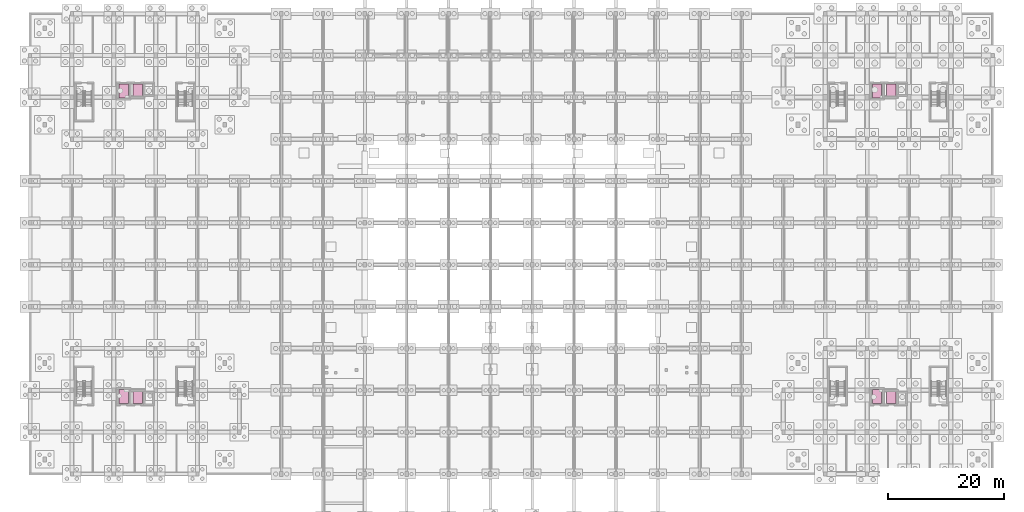
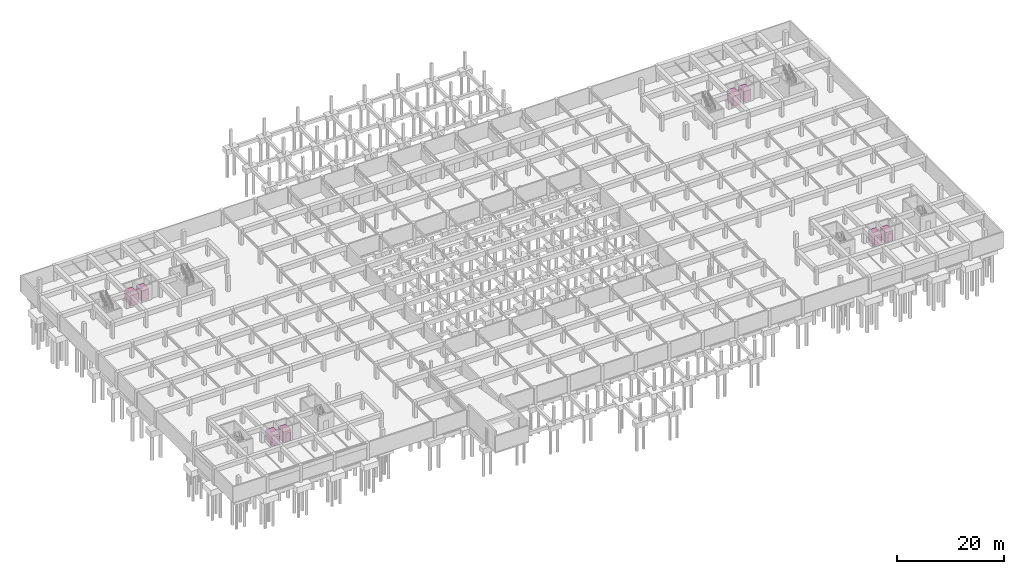
# One storey, part 36 of 36: 8 transport elements.
"""IFC4 building model written with IfcOpenShell, lengths in metres."""

from ifc_helpers import new_model, si_unit, direction, frame, origin, origin_2d, place, context, subcontext, project, spatial, rectangle, extrude, material, type_object, element, save


model = new_model("IFC4")

# Units and contexts
model_context = context("Model", 3, precision=1e-05, world=origin(), true_north=direction((0.0, 1.0)))
body_context = subcontext(model_context, "Body", "Model", "MODEL_VIEW")
ifc_project = project(units=[si_unit("LENGTHUNIT", "METRE"), si_unit("AREAUNIT", "SQUARE_METRE"), si_unit("VOLUMEUNIT", "CUBIC_METRE"), si_unit("PLANEANGLEUNIT", "RADIAN"), si_unit("MASSUNIT", "GRAM", prefix="KILO")], contexts=[model_context])

# Site, building, storey
site_placement = place(None, origin())
site = spatial("IfcSite", under=ifc_project, at=site_placement, CompositionType="ELEMENT")
building_placement = place(site_placement, origin())
building = spatial("IfcBuilding", under=site, at=building_placement, Name="Ochrevale Crest", CompositionType="ELEMENT")
storey_placement = place(building_placement, frame((0.0, 0.0, -3.60009765625)))
storey = spatial("IfcBuildingStorey", under=building, at=storey_placement, Name="B1", CompositionType="ELEMENT", Elevation=-3.60009765625)

# Transport elements
ifc_material = material(Name="Stainless steel", Category="steel")
transport_element_type_1 = type_object("IfcTransportElementType", Name="LIFT-FF-1600", PredefinedType="ELEVATOR", material=ifc_material)
for number, where, z_axis, x_axis, name in (
    (1, (16.10009765625, 27.699951171875, 0.000244140625), (0.0, 0.0, 1.0), (1.0, 0.0, 0.0), "Block A Firefighting Stretcher Lift LF-A1"),
    (2, (16.10009765625, 80.300048828125, 0.000244140625), (0.0, 0.0, 1.0), (1.0, 0.0, 0.0), "Block B Firefighting Stretcher Lift LF-B1"),
    (3, (145.699951171875, 27.699951171875, 0.000244140625), (0.0, 0.0, 1.0), (1.0, 0.0, 0.0), "Block C Firefighting Stretcher Lift LF-C1"),
    (4, (145.699951171875, 80.300048828125, 0.000244140625), (0.0, 0.0, 1.0), (1.0, 0.0, 0.0), "Block D Firefighting Stretcher Lift LF-D1"),
):
    element("IfcTransportElement", number, at=place(storey_placement, frame(where, z_axis=z_axis, x_axis=x_axis)), inside=storey, type_object=transport_element_type_1, Name=name, PredefinedType="ELEVATOR", context=body_context, shape_type="SweptSolid", body=[
        extrude(rectangle(XDim=1.60009765625, YDim=2.39990234375, at=origin_2d()), origin(), (0.0, 0.0, 1.0), 2.39990234375),
    ])
transport_element_type_2 = type_object("IfcTransportElementType", Name="LIFT-PAX-1350", PredefinedType="ELEVATOR", material=ifc_material)
for number, where, z_axis, x_axis, name in (
    (5, (18.550048828125, 27.550048828125, 0.000244140625), (0.0, 0.0, 1.0), (1.0, 0.0, 0.0), "Block A Accessible Passenger Lift LP-A2"),
    (6, (18.550048828125, 80.449951171875, 0.000244140625), (0.0, 0.0, 1.0), (1.0, 0.0, 0.0), "Block B Accessible Passenger Lift LP-B2"),
    (7, (148.14990234375, 27.550048828125, 0.000244140625), (0.0, 0.0, 1.0), (1.0, 0.0, 0.0), "Block C Accessible Passenger Lift LP-C2"),
    (8, (148.14990234375, 80.449951171875, 0.000244140625), (0.0, 0.0, 1.0), (1.0, 0.0, 0.0), "Block D Accessible Passenger Lift LP-D2"),
):
    element("IfcTransportElement", number, at=place(storey_placement, frame(where, z_axis=z_axis, x_axis=x_axis)), inside=storey, type_object=transport_element_type_2, Name=name, PredefinedType="ELEVATOR", context=body_context, shape_type="SweptSolid", body=[
        extrude(rectangle(XDim=1.60009765625, YDim=2.10009765625, at=origin_2d()), origin(), (0.0, 0.0, 1.0), 2.39990234375),
    ])

save(model, "model.ifc")
